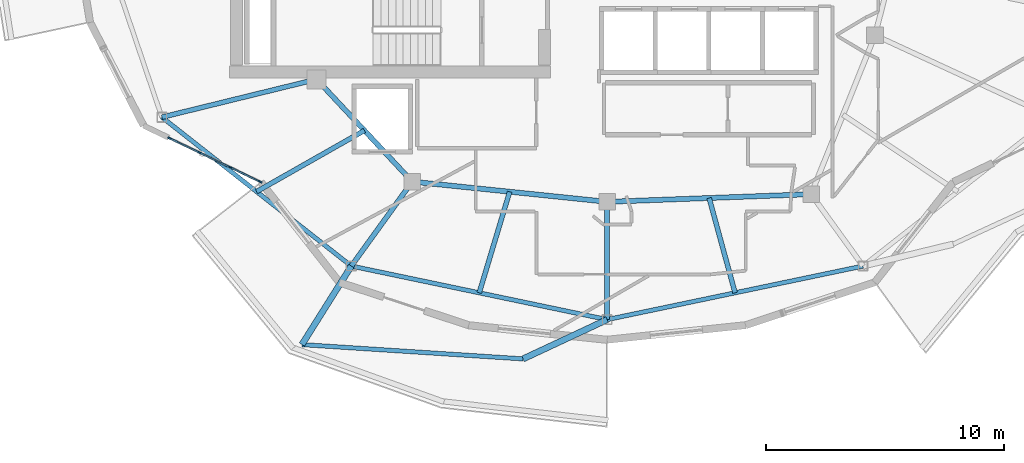
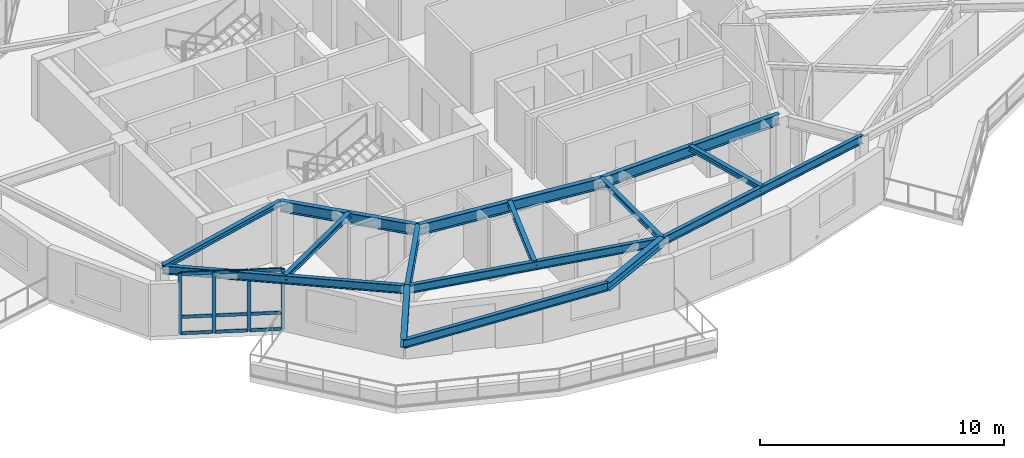
# One storey, part 2 of 14: 15 beams, 13 members, 1 element without a shape of its own.
"""IFC4 building model written with IfcOpenShell, lengths in metres."""

import ifcopenshell
import ifcopenshell.guid

model = None  # the IFC model being written
_history = None  # IfcOwnerHistory: only IFC2X3 demands one
_inside = {}  # id of a spatial element -> (the spatial element, [elements in it])
_under = {}  # id of a project, library or spatial element -> (it, [spatial elements below it])
_declared = {}  # id of a project -> (the project, [libraries it declares])
_typed = {}  # id of a type object -> (the type object, [elements of that type])
_made_of = {}  # id of a material, layer set ... -> (it, [elements and type objects made of it])


def new_model(schema):
    """Start an empty IFC model of exactly this schema.

    Asked for "IFC4X3", IfcOpenShell would pick the latest addendum, in which some entities
    have other attributes; the version numbers below select the first issue.
    IFC2X3 requires an IfcOwnerHistory on every rooted entity: one is made here for all.
    """
    global model, _history
    if schema == "IFC4X3":
        model = ifcopenshell.file(schema_version=(4, 3, 0, 0))
    else:
        model = ifcopenshell.file(schema=schema)
    _inside.clear()
    _under.clear()
    _declared.clear()
    _typed.clear()
    _made_of.clear()
    _history = None
    if model.schema == "IFC2X3":
        org = make("IfcOrganization", Name="unknown")
        user = make(
            "IfcPersonAndOrganization",
            ThePerson=make("IfcPerson", FamilyName="unknown"),
            TheOrganization=org,
        )
        app = make(
            "IfcApplication",
            ApplicationDeveloper=org,
            Version="unknown",
            ApplicationFullName="unknown",
            ApplicationIdentifier="unknown",
        )
        _history = make(
            "IfcOwnerHistory",
            OwningUser=user,
            OwningApplication=app,
            ChangeAction="ADDED",
            CreationDate=0,
        )
    return model


def make(cls, **values):
    """One entity of the class cls with the attributes given. An attribute that is None is left unset."""
    return model.create_entity(
        cls, **{name: value for name, value in values.items() if value is not None}
    )


def rooted(cls, **values):
    """An entity with a GlobalId (a new one), such as an element, a storey or a relation."""
    return make(cls, GlobalId=ifcopenshell.guid.new(), OwnerHistory=_history, **values)


def si_unit(unit_type, name, prefix=None):
    """IfcSIUnit, for example si_unit("LENGTHUNIT", "METRE", prefix="MILLI")."""
    return make("IfcSIUnit", UnitType=unit_type, Prefix=prefix, Name=name)


def assignment(units):
    """IfcUnitAssignment: the units of a project."""
    return None if units is None else make("IfcUnitAssignment", Units=units)


def point(xyz):
    """IfcCartesianPoint."""
    return None if xyz is None else make("IfcCartesianPoint", Coordinates=xyz)


def direction(xyz):
    """IfcDirection."""
    return None if xyz is None else make("IfcDirection", DirectionRatios=xyz)


def frame(location, z_axis=None, x_axis=None):
    """IfcAxis2Placement3D, a coordinate frame: its origin and axes. An axis left out is left unset."""
    return make(
        "IfcAxis2Placement3D",
        Location=point(location),
        Axis=direction(z_axis),
        RefDirection=direction(x_axis),
    )


def frame_2d(location, x_axis=None):
    """IfcAxis2Placement2D, a coordinate frame in the plane: its origin and x axis."""
    return make(
        "IfcAxis2Placement2D", Location=point(location), RefDirection=direction(x_axis)
    )


def origin():
    """The frame at (0, 0, 0) with its axes left unset."""
    return frame((0.0, 0.0, 0.0))


def origin_2d():
    """The frame at (0, 0) in the plane with its x axis left unset."""
    return frame_2d((0.0, 0.0))


def place(relative_to, where):
    """IfcLocalPlacement: puts the frame where relative to a parent placement (None: the world)."""
    return make(
        "IfcLocalPlacement", PlacementRelTo=relative_to, RelativePlacement=where
    )


def context(
    kind, dimensions, precision=None, world=None, true_north=None, identifier=None
):
    """IfcGeometricRepresentationContext, for example the 3D "Model" context."""
    return make(
        "IfcGeometricRepresentationContext",
        ContextIdentifier=identifier,
        ContextType=kind,
        CoordinateSpaceDimension=dimensions,
        Precision=precision,
        WorldCoordinateSystem=world,
        TrueNorth=true_north,
    )


def subcontext(parent, identifier, kind, view, scale=None):
    """IfcGeometricRepresentationSubContext, for example "Body" below "Model"."""
    return make(
        "IfcGeometricRepresentationSubContext",
        ContextIdentifier=identifier,
        ContextType=kind,
        ParentContext=parent,
        TargetScale=scale,
        TargetView=view,
    )


def project(units=None, contexts=None):
    """IfcProject with its units and contexts."""
    return rooted(
        "IfcProject",
        Name="project",
        RepresentationContexts=contexts,
        UnitsInContext=assignment(units),
    )


def spatial(cls, under=None, at=None, **own):
    """A site, building, storey or space (cls), placed at a placement, below another one or the project."""
    s = rooted(cls, ObjectPlacement=at, **own)
    if under is not None:
        _under.setdefault(under.id(), (under, []))[1].append(s)
    return s


def profile(cls, at=None, kind="AREA", **sizes):
    """A parametric profile (cls). Its sizes go by their IFC names, for example OverallWidth=200.0."""
    return make(cls, ProfileType=kind, Position=at, **sizes)


def rectangle(**sizes):
    """IfcRectangleProfileDef."""
    return profile("IfcRectangleProfileDef", **sizes)


def i_section(**sizes):
    """IfcIShapeProfileDef."""
    return profile("IfcIShapeProfileDef", **sizes)


def extrude(swept, where, along, depth):
    """IfcExtrudedAreaSolid: the profile swept, set in the frame where, extruded along a direction by depth."""
    return make(
        "IfcExtrudedAreaSolid",
        SweptArea=swept,
        Position=where,
        ExtrudedDirection=direction(along),
        Depth=depth,
    )


def shape(context_of_items, identifier, shape_type, items):
    """IfcShapeRepresentation: the items that make up one representation, for example the "Body"."""
    return make(
        "IfcShapeRepresentation",
        ContextOfItems=context_of_items,
        RepresentationIdentifier=identifier,
        RepresentationType=shape_type,
        Items=items,
    )


def material(Name=None, Category=None):
    """IfcMaterial."""
    return make("IfcMaterial", Name=Name, Category=Category)


def layer(
    of_material, thickness, ventilated=None, Name=None, Category=None, Priority=None
):
    """IfcMaterialLayer: one layer of a wall or slab, of a material (None: an air gap)."""
    return make(
        "IfcMaterialLayer",
        Material=of_material,
        LayerThickness=thickness,
        IsVentilated=ventilated,
        Name=Name,
        Category=Category,
        Priority=Priority,
    )


def layer_set(layers, Name=None):
    """IfcMaterialLayerSet."""
    return make("IfcMaterialLayerSet", MaterialLayers=layers, LayerSetName=Name)


def material_profile(
    of_material, cross_section, Name=None, Category=None, Priority=None
):
    """IfcMaterialProfile: a cross section and its material."""
    return make(
        "IfcMaterialProfile",
        Name=Name,
        Material=of_material,
        Profile=cross_section,
        Priority=Priority,
        Category=Category,
    )


def profile_set(profiles, Name=None, composite=None):
    """IfcMaterialProfileSet."""
    return make(
        "IfcMaterialProfileSet",
        Name=Name,
        MaterialProfiles=profiles,
        CompositeProfile=composite,
    )


def made_of(thing, what):
    """Note that an element or type object is made of a material, layer set ...; save() writes the relation."""
    if what is not None:
        _made_of.setdefault(what.id(), (what, []))[1].append(thing)
    return thing


def type_object(cls, material=None, **own):
    """A type object (cls), such as IfcWallType, which elements share."""
    return made_of(rooted(cls, **own), material)


def element(
    cls,
    number,
    at=None,
    inside=None,
    cuts=None,
    type_object=None,
    material=None,
    context=None,
    identifier="Body",
    shape_type=None,
    held_by="IfcProductDefinitionShape",
    body=None,
    shapes=None,
    **own,
):
    """One element of the class cls, such as IfcWall. Its Tag is "e" and its number.

    at: its placement. inside: the storey or other place that contains it. cuts: it is an
    opening in that element (IfcRelVoidsElement). A single representation is given by context,
    identifier, shape_type and body (its items); several are given by shapes. held_by: the class
    of the entity that holds the representations. save() writes the other relations.
    """
    e = rooted(cls, Tag="e%d" % number, ObjectPlacement=at, **own)
    if body is not None:
        shapes = [shape(context, identifier, shape_type, body)]
    if shapes is not None:
        e.Representation = make(held_by, Representations=shapes)
    if inside is not None:
        _inside.setdefault(inside.id(), (inside, []))[1].append(e)
    if cuts is not None:
        rooted(
            "IfcRelVoidsElement", RelatingBuildingElement=cuts, RelatedOpeningElement=e
        )
    if type_object is not None:
        _typed.setdefault(type_object.id(), (type_object, []))[1].append(e)
    return made_of(e, material)


def aggregate(whole, parts):
    """IfcRelAggregates: a whole, such as a stair, and the parts it consists of."""
    return rooted("IfcRelAggregates", RelatingObject=whole, RelatedObjects=parts)


def save(model, path):
    """Write the relations noted so far, then the file.

    IfcRelAggregates (storeys below a building ...), IfcRelContainedInSpatialStructure (elements
    in a storey), IfcRelDefinesByType, IfcRelAssociatesMaterial and IfcRelDeclares: one each for
    every whole, place, type object, material and project.
    """
    for whole, parts in _under.values():
        aggregate(whole, parts)
    for where, things in _inside.values():
        rooted(
            "IfcRelContainedInSpatialStructure",
            RelatedElements=things,
            RelatingStructure=where,
        )
    for kind, things in _typed.values():
        rooted("IfcRelDefinesByType", RelatedObjects=things, RelatingType=kind)
    for what, things in _made_of.values():
        rooted("IfcRelAssociatesMaterial", RelatedObjects=things, RelatingMaterial=what)
    for by, libraries in _declared.values():
        rooted("IfcRelDeclares", RelatingContext=by, RelatedDefinitions=libraries)
    model.write(path)


model = new_model("IFC4")

# Units and contexts
model_context = context("Model", 3, precision=1e-05, world=origin(), true_north=direction((0.0, 1.0)))
body_context = subcontext(model_context, "Body", "Model", "MODEL_VIEW")
ifc_project = project(units=[si_unit("LENGTHUNIT", "METRE"), si_unit("AREAUNIT", "SQUARE_METRE"), si_unit("VOLUMEUNIT", "CUBIC_METRE"), si_unit("PLANEANGLEUNIT", "RADIAN"), si_unit("MASSUNIT", "GRAM", prefix="KILO")], contexts=[model_context])

# Site, building, storey
site_placement = place(None, origin())
site = spatial("IfcSite", under=ifc_project, at=site_placement, CompositionType="ELEMENT")
building_placement = place(site_placement, origin())
building = spatial("IfcBuilding", under=site, at=building_placement, Name="Kolvaren Gate Tower and Convention Centre", CompositionType="ELEMENT")
storey_placement = place(building_placement, frame((0.0, 0.0, 252.5)))
storey = spatial("IfcBuildingStorey", under=building, at=storey_placement, Name="L68", CompositionType="ELEMENT", Elevation=252.5)

# Curtain wall, members
ifc_material_1 = material(Name="Anodized Architectural Aluminium Alloy 6063-T6", Category="aluminium")
ifc_layer = layer(ifc_material_1, 0.159912109375)
ifc_layer_set = layer_set([ifc_layer], Name="Anodized Architectural Aluminium Alloy 6063-T6")
curtain_wall_type = type_object("IfcCurtainWallType", Name="CW-RES-UNIT", PredefinedType="NOTDEFINED", material=ifc_layer_set)
curtain_wall_placement = place(storey_placement, origin())
curtain_wall = element("IfcCurtainWall", 1, at=curtain_wall_placement, inside=storey, type_object=curtain_wall_type, Name="Tower L68 Unitised Curtain Wall CW-RES-UNIT Bay 14", PredefinedType="NOTDEFINED")
ifc_material_profile_1 = material_profile(ifc_material_1, rectangle(XDim=0.06494140625, YDim=0.159912109375, at=origin_2d()), Name="CW-MEM-MUL-160")
ifc_profile_set_1 = profile_set([ifc_material_profile_1], Name="Anodized Architectural Aluminium Alloy 6063-T6")
member_type_1 = type_object("IfcMemberType", Name="CW-MEM-MUL-160", PredefinedType="MULLION", material=ifc_profile_set_1)
member_1_placement = place(storey_placement, frame((11.733154296875, 17.474365234375, 0.0), z_axis=(0.0, 0.0, 1.0), x_axis=(0.433067331688, 0.901361573523, 0.0)))
member_1 = element("IfcMember", 2, at=member_1_placement, type_object=member_type_1, Name="CW-04 mullion 1", PredefinedType="MULLION", context=body_context, shape_type="SweptSolid", body=[
    extrude(rectangle(XDim=0.06494140625, YDim=0.159912109375, at=origin_2d()), origin(), (0.0, 0.0, 1.0), 3.030029296875),
])
member_2_placement = place(storey_placement, frame((12.993408203125, 16.868896484375, 0.0), z_axis=(0.0, 0.0, 1.0), x_axis=(0.433067331688, 0.901361573523, 0.0)))
member_2 = element("IfcMember", 3, at=member_2_placement, type_object=member_type_1, Name="CW-04 mullion 2", PredefinedType="MULLION", context=body_context, shape_type="SweptSolid", body=[
    extrude(rectangle(XDim=0.06494140625, YDim=0.159912109375, at=origin_2d()), origin(), (0.0, 0.0, 1.0), 3.030029296875),
])
member_3_placement = place(storey_placement, frame((14.283203125, 16.249267578125, 0.0), z_axis=(0.0, 0.0, 1.0), x_axis=(0.433067331688, 0.901361573523, 0.0)))
member_3 = element("IfcMember", 4, at=member_3_placement, type_object=member_type_1, Name="CW-04 mullion 3", PredefinedType="MULLION", context=body_context, shape_type="SweptSolid", body=[
    extrude(rectangle(XDim=0.06494140625, YDim=0.159912109375, at=origin_2d()), origin(), (0.0, 0.0, 1.0), 3.030029296875),
])
member_4_placement = place(storey_placement, frame((15.54345703125, 15.643798828125, 0.0), z_axis=(0.0, 0.0, 1.0), x_axis=(0.433067331688, 0.901361573523, 0.0)))
member_4 = element("IfcMember", 5, at=member_4_placement, type_object=member_type_1, Name="CW-04 mullion 4", PredefinedType="MULLION", context=body_context, shape_type="SweptSolid", body=[
    extrude(rectangle(XDim=0.06494140625, YDim=0.159912109375, at=origin_2d()), origin(), (0.0, 0.0, 1.0), 3.030029296875),
])
ifc_material_profile_2 = material_profile(ifc_material_1, rectangle(XDim=0.06494140625, YDim=0.159912109375, at=origin_2d()), Name="CW-MEM-TRN-160")
ifc_profile_set_2 = profile_set([ifc_material_profile_2], Name="Anodized Architectural Aluminium Alloy 6063-T6")
member_type_2 = type_object("IfcMemberType", Name="CW-MEM-TRN-160", PredefinedType="USERDEFINED", material=ifc_profile_set_2)
member_5_placement = place(storey_placement, frame((11.762451171875, 17.46044921875, 0.032470703125), z_axis=(0.901348668845, -0.433094189723, 0.0), x_axis=(0.433094189723, 0.901348668845, 0.0)))
member_5 = element("IfcMember", 6, at=member_5_placement, type_object=member_type_2, Name="CW-04 transom 1.1", ObjectType="TRANSOM", PredefinedType="USERDEFINED", context=body_context, shape_type="SweptSolid", body=[
    extrude(rectangle(XDim=0.06494140625, YDim=0.159912109375, at=origin_2d()), origin(), (0.0, 0.0, 1.0), 1.333251953125),
])
member_6_placement = place(storey_placement, frame((11.762451171875, 17.46044921875, 0.85009765625), z_axis=(0.901348668845, -0.433094189723, 0.0), x_axis=(0.433094189723, 0.901348668845, 0.0)))
member_6 = element("IfcMember", 7, at=member_6_placement, type_object=member_type_2, Name="CW-04 transom 1.2", ObjectType="TRANSOM", PredefinedType="USERDEFINED", context=body_context, shape_type="SweptSolid", body=[
    extrude(rectangle(XDim=0.06494140625, YDim=0.159912109375, at=origin_2d()), origin(), (0.0, 0.0, 1.0), 1.333251953125),
])
member_7_placement = place(storey_placement, frame((11.762451171875, 17.46044921875, 2.99755859375), z_axis=(0.901348668845, -0.433094189723, 0.0), x_axis=(0.433094189723, 0.901348668845, 0.0)))
member_7 = element("IfcMember", 8, at=member_7_placement, type_object=member_type_2, Name="CW-04 transom 1.3", ObjectType="TRANSOM", PredefinedType="USERDEFINED", context=body_context, shape_type="SweptSolid", body=[
    extrude(rectangle(XDim=0.06494140625, YDim=0.159912109375, at=origin_2d()), origin(), (0.0, 0.0, 1.0), 1.333251953125),
])
member_8_placement = place(storey_placement, frame((13.022705078125, 16.854736328125, 0.032470703125), z_axis=(0.901428199214, -0.432928633451, 0.0), x_axis=(0.432928633451, 0.901428199214, 0.0)))
member_8 = element("IfcMember", 9, at=member_8_placement, type_object=member_type_2, Name="CW-04 transom 2.1", ObjectType="TRANSOM", PredefinedType="USERDEFINED", context=body_context, shape_type="SweptSolid", body=[
    extrude(rectangle(XDim=0.06494140625, YDim=0.159912109375, at=origin_2d()), origin(), (0.0, 0.0, 1.0), 1.36572265625),
])
member_9_placement = place(storey_placement, frame((13.022705078125, 16.854736328125, 0.85009765625), z_axis=(0.901428199214, -0.432928633451, 0.0), x_axis=(0.432928633451, 0.901428199214, 0.0)))
member_9 = element("IfcMember", 10, at=member_9_placement, type_object=member_type_2, Name="CW-04 transom 2.2", ObjectType="TRANSOM", PredefinedType="USERDEFINED", context=body_context, shape_type="SweptSolid", body=[
    extrude(rectangle(XDim=0.06494140625, YDim=0.159912109375, at=origin_2d()), origin(), (0.0, 0.0, 1.0), 1.36572265625),
])
member_10_placement = place(storey_placement, frame((13.022705078125, 16.854736328125, 2.99755859375), z_axis=(0.901428199214, -0.432928633451, 0.0), x_axis=(0.432928633451, 0.901428199214, 0.0)))
member_10 = element("IfcMember", 11, at=member_10_placement, type_object=member_type_2, Name="CW-04 transom 2.3", ObjectType="TRANSOM", PredefinedType="USERDEFINED", context=body_context, shape_type="SweptSolid", body=[
    extrude(rectangle(XDim=0.06494140625, YDim=0.159912109375, at=origin_2d()), origin(), (0.0, 0.0, 1.0), 1.36572265625),
])
member_11_placement = place(storey_placement, frame((14.3125, 16.235107421875, 0.032470703125), z_axis=(0.901420149121, -0.432945394661, 0.0), x_axis=(0.432945394661, 0.901420149121, 0.0)))
member_11 = element("IfcMember", 12, at=member_11_placement, type_object=member_type_2, Name="CW-04 transom 3.1", ObjectType="TRANSOM", PredefinedType="USERDEFINED", context=body_context, shape_type="SweptSolid", body=[
    extrude(rectangle(XDim=0.06494140625, YDim=0.159912109375, at=origin_2d()), origin(), (0.0, 0.0, 1.0), 1.3330078125),
])
member_12_placement = place(storey_placement, frame((14.3125, 16.235107421875, 0.85009765625), z_axis=(0.901420149121, -0.432945394661, 0.0), x_axis=(0.432945394661, 0.901420149121, 0.0)))
member_12 = element("IfcMember", 13, at=member_12_placement, type_object=member_type_2, Name="CW-04 transom 3.2", ObjectType="TRANSOM", PredefinedType="USERDEFINED", context=body_context, shape_type="SweptSolid", body=[
    extrude(rectangle(XDim=0.06494140625, YDim=0.159912109375, at=origin_2d()), origin(), (0.0, 0.0, 1.0), 1.3330078125),
])
member_13_placement = place(storey_placement, frame((14.3125, 16.235107421875, 2.99755859375), z_axis=(0.901420149121, -0.432945394661, 0.0), x_axis=(0.432945394661, 0.901420149121, 0.0)))
member_13 = element("IfcMember", 14, at=member_13_placement, type_object=member_type_2, Name="CW-04 transom 3.3", ObjectType="TRANSOM", PredefinedType="USERDEFINED", context=body_context, shape_type="SweptSolid", body=[
    extrude(rectangle(XDim=0.06494140625, YDim=0.159912109375, at=origin_2d()), origin(), (0.0, 0.0, 1.0), 1.3330078125),
])
aggregate(curtain_wall, [member_1, member_2, member_3, member_4, member_5, member_6, member_7, member_8, member_9, member_10, member_11, member_12, member_13])

# Beams
ifc_material_2 = material(Name="Structural steel ASTM A992 Grade 345 MPa", Category="steel")
ifc_material_profile_3 = material_profile(ifc_material_2, i_section(OverallWidth=0.260009765625, OverallDepth=0.419921875, WebThickness=0.013427734375, FlangeThickness=0.0224609375, at=origin_2d()), Name="W410X132")
ifc_profile_set_3 = profile_set([ifc_material_profile_3], Name="Structural steel ASTM A992 Grade 345 MPa")
beam_type_1 = type_object("IfcBeamType", Name="STR-BM-W410X132", PredefinedType="BEAM", material=ifc_profile_set_3)
beam_1_placement = place(storey_placement, frame((19.372314453125, 12.100830078125, 2.820556640625), z_axis=(-0.532298463372, -0.846556758813, 0.0), x_axis=(0.846556758813, -0.532298463372, 0.0)))
element("IfcBeam", 15, at=beam_1_placement, inside=storey, type_object=beam_type_1, Name="Tower L69 Planted Balcony Outrigger Cantilever BC-3A", PredefinedType="BEAM", context=body_context, shape_type="SweptSolid", body=[
    extrude(i_section(OverallWidth=0.260009765625, OverallDepth=0.419921875, WebThickness=0.013427734375, FlangeThickness=0.0224609375, at=origin_2d()), origin(), (0.0, 0.0, 1.0), 3.89990234375),
])
beam_2_placement = place(storey_placement, frame((30.125, 9.85009765625, 2.820556640625), z_axis=(-0.905850224108, -0.423598124977, 0.0), x_axis=(0.423598124977, -0.905850224108, 0.0)))
element("IfcBeam", 16, at=beam_2_placement, inside=storey, type_object=beam_type_1, Name="Tower L69 Planted Balcony Outrigger Cantilever BC-3B", PredefinedType="BEAM", context=body_context, shape_type="SweptSolid", body=[
    extrude(i_section(OverallWidth=0.260009765625, OverallDepth=0.419921875, WebThickness=0.013427734375, FlangeThickness=0.0224609375, at=origin_2d()), origin(), (0.0, 0.0, 1.0), 3.900146484375),
])
ifc_material_profile_4 = material_profile(ifc_material_2, i_section(OverallWidth=0.2119140625, OverallDepth=0.5439453125, WebThickness=0.01318359375, FlangeThickness=0.021240234375, at=origin_2d()), Name="W530X123")
ifc_profile_set_4 = profile_set([ifc_material_profile_4], Name="Structural steel ASTM A992 Grade 345 MPa")
beam_type_2 = type_object("IfcBeamType", Name="STR-BM-W530X123", PredefinedType="BEAM", material=ifc_profile_set_4)
beam_3_placement = place(storey_placement, frame((17.9140625, 19.949951171875, 2.758056640625), z_axis=(0.682557592987, -0.730831808459, 0.0), x_axis=(0.730831808459, 0.682557592987, 0.0)))
element("IfcBeam", 17, at=beam_3_placement, inside=storey, type_object=beam_type_2, Name="Tower L68 Primary Ring Girder G-06", PredefinedType="BEAM", context=body_context, shape_type="SweptSolid", body=[
    extrude(i_section(OverallWidth=0.2119140625, OverallDepth=0.5439453125, WebThickness=0.01318359375, FlangeThickness=0.021240234375, at=origin_2d()), origin(), (0.0, 0.0, 1.0), 5.88671875),
])
beam_4_placement = place(storey_placement, frame((21.93212890625, 15.647705078125, 2.758056640625), z_axis=(0.994690329115, -0.102913308978, 0.0), x_axis=(0.102913308978, 0.994690329115, 0.0)))
element("IfcBeam", 18, at=beam_4_placement, inside=storey, type_object=beam_type_2, Name="Tower L68 Primary Ring Girder G-07", PredefinedType="BEAM", context=body_context, shape_type="SweptSolid", body=[
    extrude(i_section(OverallWidth=0.2119140625, OverallDepth=0.5439453125, WebThickness=0.01318359375, FlangeThickness=0.021240234375, at=origin_2d()), origin(), (0.0, 0.0, 1.0), 8.236572265625),
])
beam_5_placement = place(storey_placement, frame((30.125, 14.800048828125, 2.758056640625), z_axis=(0.999301712453, 0.037364254142, 0.0), x_axis=(-0.037364254142, 0.999301712453, 0.0)))
element("IfcBeam", 19, at=beam_5_placement, inside=storey, type_object=beam_type_2, Name="Tower L68 Primary Ring Girder G-08", PredefinedType="BEAM", context=body_context, shape_type="SweptSolid", body=[
    extrude(i_section(OverallWidth=0.2119140625, OverallDepth=0.5439453125, WebThickness=0.01318359375, FlangeThickness=0.021240234375, at=origin_2d()), origin(), (0.0, 0.0, 1.0), 8.579345703125),
])
beam_6_placement = place(storey_placement, frame((21.93212890625, 15.647705078125, 2.758056640625), z_axis=(-0.585217447343, -0.810876402003, 0.0), x_axis=(0.810876402003, -0.585217447343, 0.0)))
element("IfcBeam", 20, at=beam_6_placement, inside=storey, type_object=beam_type_2, Name="Tower L68 Radial Floor Girder RB-09", PredefinedType="BEAM", context=body_context, shape_type="SweptSolid", body=[
    extrude(i_section(OverallWidth=0.2119140625, OverallDepth=0.5439453125, WebThickness=0.01318359375, FlangeThickness=0.021240234375, at=origin_2d()), origin(), (0.0, 0.0, 1.0), 4.3740234375),
])
ifc_material_profile_5 = material_profile(ifc_material_2, i_section(OverallWidth=0.202880859375, OverallDepth=0.251953125, WebThickness=0.008056640625, FlangeThickness=0.013427734375, at=origin_2d()), Name="W250X58")
ifc_profile_set_5 = profile_set([ifc_material_profile_5], Name="Structural steel ASTM A992 Grade 345 MPa")
beam_type_3 = type_object("IfcBeamType", Name="STR-JS-W250X58", PredefinedType="JOIST", material=ifc_profile_set_5)
beam_7_placement = place(storey_placement, frame((17.9140625, 19.949951171875, 2.904052734375), z_axis=(-0.971264462968, -0.238002821362, 0.0), x_axis=(0.238002821362, -0.971264462968, 0.0)))
element("IfcBeam", 21, at=beam_7_placement, inside=storey, type_object=beam_type_3, Name="Tower L68 Radial Floor Girder RB-08", PredefinedType="JOIST", context=body_context, shape_type="SweptSolid", body=[
    extrude(i_section(OverallWidth=0.202880859375, OverallDepth=0.251953125, WebThickness=0.008056640625, FlangeThickness=0.013427734375, at=origin_2d()), origin(), (0.0, 0.0, 1.0), 6.6953125),
])
beam_8_placement = place(storey_placement, frame((30.125, 14.800048828125, 2.904052734375), z_axis=(0.0, -1.0, 0.0), x_axis=(1.0, 0.0, 0.0)))
element("IfcBeam", 22, at=beam_8_placement, inside=storey, type_object=beam_type_3, Name="Tower L68 Radial Floor Girder RB-10", PredefinedType="JOIST", context=body_context, shape_type="SweptSolid", body=[
    extrude(i_section(OverallWidth=0.202880859375, OverallDepth=0.251953125, WebThickness=0.008056640625, FlangeThickness=0.013427734375, at=origin_2d()), origin(), (0.0, 0.0, 1.0), 4.949951171875),
])
beam_9_placement = place(storey_placement, frame((19.923095703125, 17.798828125, 2.904052734375), z_axis=(-0.869819092813, -0.493370799479, 0.0), x_axis=(0.493370799479, -0.869819092813, 0.0)))
element("IfcBeam", 23, at=beam_9_placement, inside=storey, type_object=beam_type_3, Name="Tower L68 Secondary Composite Floor Joist J-08.1", PredefinedType="JOIST", context=body_context, shape_type="SweptSolid", body=[
    extrude(i_section(OverallWidth=0.202880859375, OverallDepth=0.251953125, WebThickness=0.008056640625, FlangeThickness=0.013427734375, at=origin_2d()), origin(), (0.0, 0.0, 1.0), 5.209716796875),
])
beam_10_placement = place(storey_placement, frame((26.028564453125, 15.223876953125, 2.904052734375), z_axis=(-0.288427961133, -0.957501598556, 0.0), x_axis=(0.957501598556, -0.288427961133, 0.0)))
element("IfcBeam", 24, at=beam_10_placement, inside=storey, type_object=beam_type_3, Name="Tower L68 Secondary Composite Floor Joist J-09.1", PredefinedType="JOIST", context=body_context, shape_type="SweptSolid", body=[
    extrude(i_section(OverallWidth=0.202880859375, OverallDepth=0.251953125, WebThickness=0.008056640625, FlangeThickness=0.013427734375, at=origin_2d()), origin(), (0.0, 0.0, 1.0), 4.43701171875),
])
beam_11_placement = place(storey_placement, frame((34.41162109375, 14.960205078125, 2.904052734375), z_axis=(0.263752420282, -0.964590410898, 0.0), x_axis=(0.964590410898, 0.263752420282, 0.0)))
element("IfcBeam", 25, at=beam_11_placement, inside=storey, type_object=beam_type_3, Name="Tower L68 Secondary Composite Floor Joist J-10.1", PredefinedType="JOIST", context=body_context, shape_type="SweptSolid", body=[
    extrude(i_section(OverallWidth=0.202880859375, OverallDepth=0.251953125, WebThickness=0.008056640625, FlangeThickness=0.013427734375, at=origin_2d()), origin(), (0.0, 0.0, 1.0), 4.131103515625),
])
ifc_material_profile_6 = material_profile(ifc_material_2, i_section(OverallWidth=0.180908203125, OverallDepth=0.4169921875, WebThickness=0.010986328125, FlangeThickness=0.018310546875, at=origin_2d()), Name="W410X85")
ifc_profile_set_6 = profile_set([ifc_material_profile_6], Name="Structural steel ASTM A992 Grade 345 MPa")
beam_type_4 = type_object("IfcBeamType", Name="STR-SP-W410X85", PredefinedType="SPANDREL", material=ifc_profile_set_6)
beam_12_placement = place(storey_placement, frame((11.4111328125, 18.3564453125, 2.821533203125), z_axis=(0.786299093723, -0.61784604491, 0.0), x_axis=(0.61784604491, 0.786299093723, 0.0)))
element("IfcBeam", 26, at=beam_12_placement, inside=storey, type_object=beam_type_4, Name="Tower L68 Perimeter Spandrel Beam SP-08", PredefinedType="SPANDREL", context=body_context, shape_type="SweptSolid", body=[
    extrude(i_section(OverallWidth=0.180908203125, OverallDepth=0.4169921875, WebThickness=0.010986328125, FlangeThickness=0.018310546875, at=origin_2d()), origin(), (0.0, 0.0, 1.0), 10.124755859375),
])
for number, where, z_axis, x_axis, name in (
    (27, (19.372314453125, 12.100830078125, 2.821533203125), (0.97878751616, -0.204878008117, 0.0), (0.204878008117, 0.97878751616, 0.0), "Tower L68 Perimeter Spandrel Beam SP-09"),
    (28, (30.125, 9.85009765625, 2.821533203125), (0.97878751616, 0.204878008117, 0.0), (-0.204878008117, 0.97878751616, 0.0), "Tower L68 Perimeter Spandrel Beam SP-10"),
):
    element("IfcBeam", number, at=place(storey_placement, frame(where, z_axis=z_axis, x_axis=x_axis)), inside=storey, type_object=beam_type_4, Name=name, PredefinedType="SPANDREL", context=body_context, shape_type="SweptSolid", body=[
        extrude(i_section(OverallWidth=0.180908203125, OverallDepth=0.4169921875, WebThickness=0.010986328125, FlangeThickness=0.018310546875, at=origin_2d()), origin(), (0.0, 0.0, 1.0), 10.98583984375),
    ])
beam_13_placement = place(storey_placement, frame((17.29638671875, 8.79931640625, 2.822021484375), z_axis=(0.997914267467, -0.064553193454, 0.0), x_axis=(0.064553193454, 0.997914267467, 0.0)))
element("IfcBeam", 29, at=beam_13_placement, inside=storey, type_object=beam_type_4, Name="Tower L69 Planted Balcony Header Tie Beam BT-3", PredefinedType="SPANDREL", context=body_context, shape_type="SweptSolid", body=[
    extrude(i_section(OverallWidth=0.180908203125, OverallDepth=0.4169921875, WebThickness=0.010986328125, FlangeThickness=0.018310546875, at=origin_2d()), origin(), (0.0, 0.0, 1.0), 9.315185546875),
])

save(model, "model.ifc")
